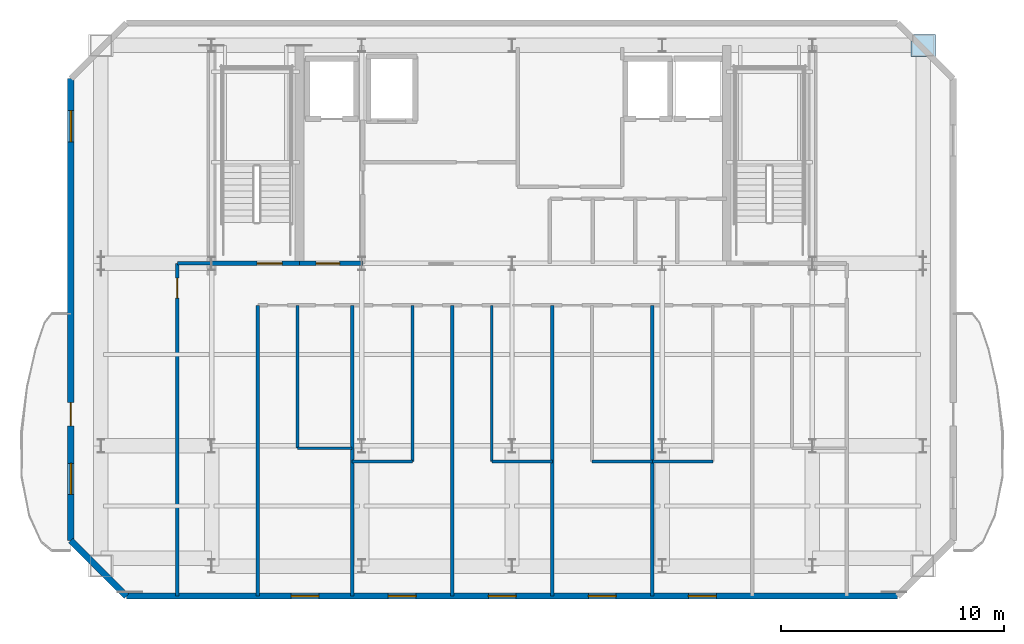
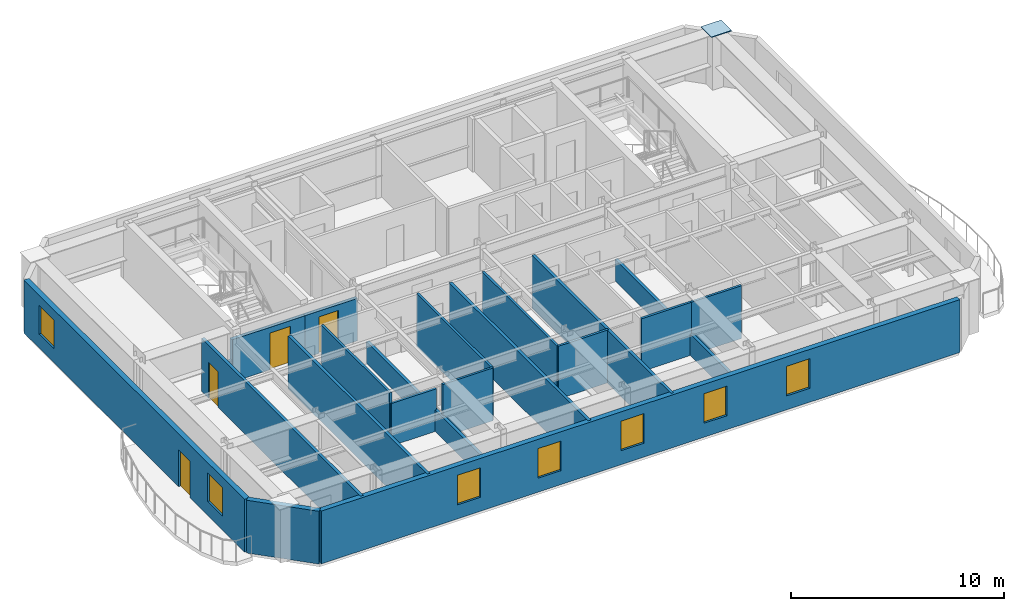
# One storey, part 2 of 6: 20 walls, 7 windows, 4 doors, 1 plate, 11 openings.
"""IFC4 building model written with IfcOpenShell, lengths in metres."""

from ifc_helpers import new_model, si_unit, direction, frame, frame_2d, origin, origin_2d, place, context, subcontext, project, spatial, rectangle, extrude, material, layer, layer_set, type_object, element, fill, save


model = new_model("IFC4")

# Units and contexts
model_context = context("Model", 3, precision=1e-05, world=origin(), true_north=direction((0.0, 1.0)))
body_context = subcontext(model_context, "Body", "Model", "MODEL_VIEW")
ifc_project = project(units=[si_unit("LENGTHUNIT", "METRE"), si_unit("AREAUNIT", "SQUARE_METRE"), si_unit("VOLUMEUNIT", "CUBIC_METRE"), si_unit("PLANEANGLEUNIT", "RADIAN"), si_unit("MASSUNIT", "GRAM", prefix="KILO")], contexts=[model_context])

# Site, building, storey
site_placement = place(None, origin())
site = spatial("IfcSite", under=ifc_project, at=site_placement, CompositionType="ELEMENT")
building_placement = place(site_placement, origin())
building = spatial("IfcBuilding", under=site, at=building_placement, Name="Haevon Station Towers", CompositionType="ELEMENT")
storey_placement = place(building_placement, frame((0.0, 0.0, 255.89990234375)))
storey = spatial("IfcBuildingStorey", under=building, at=storey_placement, Name="L71", CompositionType="ELEMENT", Elevation=255.89990234375)

# Plate
ifc_material_1 = material(Name="PL-FLG1", Category="steel")
ifc_layer_1 = layer(ifc_material_1, 0.044921875)
ifc_layer_set_1 = layer_set([ifc_layer_1], Name="PL-FLG1")
plate_type = type_object("IfcPlateType", Name="PL-FLG1", PredefinedType="USERDEFINED", material=ifc_layer_set_1)
plate_placement = place(storey_placement, frame((55.97509765625, 48.0, 3.050048828125), z_axis=(0.0, 0.0, 1.0), x_axis=(1.0, 0.0, 0.0)))
element("IfcPlate", 1, at=plate_placement, inside=storey, type_object=plate_type, Name="PL-CAP-T1-L71-07-04", ObjectType="FLANGE_PLATE", PredefinedType="USERDEFINED", context=body_context, shape_type="SweptSolid", body=[
    extrude(rectangle(XDim=1.090087890625, YDim=0.989990234375, at=origin_2d()), origin(), (0.0, 0.0, 1.0), 0.0400390625),
])

# Wall, opening, door
ifc_material_2 = material(Name="Gypsum board on steel stud", Category="steel")
ifc_layer_2 = layer(ifc_material_2, 0.199951171875)
ifc_layer_set_2 = layer_set([ifc_layer_2], Name="Gypsum board on steel stud")
wall_type_1 = type_object("IfcWallType", Name="WL-COR200", PredefinedType="PARTITIONING", material=ifc_layer_set_2)
wall_1_placement = place(storey_placement, frame((24.0, 38.199951171875, 0.0), z_axis=(0.0, 0.0, 1.0), x_axis=(1.0, 0.0, 0.0)))
wall_1 = element("IfcWall", 2, at=wall_1_placement, inside=storey, type_object=wall_type_1, Name="WL-ST-ST1-L71", PredefinedType="PARTITIONING", context=body_context, shape_type="SweptSolid", body=[
    extrude(rectangle(XDim=3.949951171875, YDim=0.199951171875, at=frame_2d((1.97509765625, 0.0))), origin(), (0.0, 0.0, 1.0), 2.43017578125),
])
opening_1_placement = place(wall_1_placement, frame((2.050048828125, 0.0, 0.0)))
opening_1 = element("IfcOpeningElement", 3, at=opening_1_placement, cuts=wall_1, Name="Opening DR-ST-ST1-L71", PredefinedType="OPENING", context=body_context, shape_type="SweptSolid", body=[
    extrude(rectangle(XDim=1.1201171875, YDim=2.10009765625, at=frame_2d((0.56005859375, 1.050048828125))), frame((0.0, 0.10986328125, 0.0), z_axis=(0.0, -1.0, 0.0), x_axis=(1.0, 0.0, 0.0)), (0.0, 0.0, 1.0), 0.219970703125),
])
ifc_material_3 = material(Name="Engineered oak timber", Category="wood")
door_type_1 = type_object("IfcDoorType", Name="DR-ST-1120", OperationType="NOTDEFINED", PredefinedType="DOOR", material=ifc_material_3)
door_1_placement = place(opening_1_placement, origin())
door_1 = element("IfcDoor", 4, at=door_1_placement, inside=storey, type_object=door_type_1, Name="L71 Escape Stair ST1 Fire Door", OperationType="SINGLE_SWING_LEFT", OverallHeight=2.10009765625, OverallWidth=1.1201171875, PredefinedType="DOOR", context=body_context, shape_type="SweptSolid", body=[
    extrude(rectangle(XDim=1.1201171875, YDim=2.10009765625, at=frame_2d((0.56005859375, 1.050048828125))), frame((0.0, 0.02490234375, 0.0), z_axis=(0.0, -1.0, 0.0), x_axis=(1.0, 0.0, 0.0)), (0.0, 0.0, 1.0), 0.050048828125),
])
fill(opening_1, door_1)

wall_2_placement = place(storey_placement, frame((27.949951171875, 38.199951171875, 0.0), z_axis=(0.0, 0.0, 1.0), x_axis=(1.0, 0.0, 0.0)))
wall_2 = element("IfcWall", 5, at=wall_2_placement, inside=storey, type_object=wall_type_1, Name="WL-T1FFL-L71-S", PredefinedType="PARTITIONING", context=body_context, shape_type="SweptSolid", body=[
    extrude(rectangle(XDim=2.85009765625, YDim=0.199951171875, at=frame_2d((1.425048828125, 0.0))), origin(), (0.0, 0.0, 1.0), 2.43017578125),
])
opening_2_placement = place(wall_2_placement, frame((0.75, 0.0, 0.0)))
opening_2 = element("IfcOpeningElement", 6, at=opening_2_placement, cuts=wall_2, Name="Opening DR-T1FFL-L71-S", PredefinedType="OPENING", context=body_context, shape_type="SweptSolid", body=[
    extrude(rectangle(XDim=1.050048828125, YDim=2.10009765625, at=frame_2d((0.52490234375, 1.050048828125))), frame((0.0, 0.10986328125, 0.0), z_axis=(0.0, -1.0, 0.0), x_axis=(1.0, 0.0, 0.0)), (0.0, 0.0, 1.0), 0.219970703125),
])
door_type_2 = type_object("IfcDoorType", Name="DR-FD60-1050", OperationType="NOTDEFINED", PredefinedType="DOOR", material=ifc_material_3)
door_2_placement = place(opening_2_placement, origin())
door_2 = element("IfcDoor", 7, at=door_2_placement, inside=storey, type_object=door_type_2, Name="L71 Tower 1 Firefighting Lift Lobby Door S", OperationType="SINGLE_SWING_RIGHT", OverallHeight=2.10009765625, OverallWidth=1.050048828125, PredefinedType="DOOR", context=body_context, shape_type="SweptSolid", body=[
    extrude(rectangle(XDim=1.050048828125, YDim=2.10009765625, at=frame_2d((0.52490234375, 1.050048828125))), frame((0.0, 0.02490234375, 0.0), z_axis=(0.0, -1.0, 0.0), x_axis=(1.0, 0.0, 0.0)), (0.0, 0.0, 1.0), 0.050048828125),
])
fill(opening_2, door_2)

# Wall, openings, windows
ifc_material_4 = material(Name="Precast concrete C45/55", Category="concrete")
ifc_layer_3 = layer(ifc_material_4, 0.280029296875)
ifc_layer_set_3 = layer_set([ifc_layer_3], Name="Precast concrete C45/55")
wall_type_2 = type_object("IfcWallType", Name="WL-EXT-PIER280", PredefinedType="SOLIDWALL", material=ifc_layer_set_3)
wall_3_placement = place(storey_placement, frame((54.824951171875, 23.25, 0.0), z_axis=(0.0, 0.0, 1.0), x_axis=(-1.0, 0.0, 0.0)))
wall_3 = element("IfcWall", 8, at=wall_3_placement, inside=storey, type_object=wall_type_2, Name="WL-T1-L71-S", PredefinedType="SOLIDWALL", context=body_context, shape_type="SweptSolid", body=[
    extrude(rectangle(XDim=34.64990234375, YDim=0.280029296875, at=frame_2d((17.324951171875, 0.0))), origin(), (0.0, 0.0, 1.0), 3.030029296875),
])
opening_3_placement = place(wall_3_placement, frame((26.00341796875, 0.0, 0.800048828125)))
opening_3 = element("IfcOpeningElement", 9, at=opening_3_placement, cuts=wall_3, Name="Opening WN-P125", PredefinedType="OPENING", context=body_context, shape_type="SweptSolid", body=[
    extrude(rectangle(XDim=1.25, YDim=1.699951171875, at=frame_2d((0.625, 0.85009765625))), frame((0.0, 0.14990234375, 0.0), z_axis=(0.0, -1.0, 0.0), x_axis=(1.0, 0.0, 0.0)), (0.0, 0.0, 1.0), 0.300048828125),
])
opening_4_placement = place(wall_3_placement, frame((21.6376953125, 0.0, 0.800048828125)))
opening_4 = element("IfcOpeningElement", 10, at=opening_4_placement, cuts=wall_3, Name="Opening WN-P125", PredefinedType="OPENING", context=body_context, shape_type="SweptSolid", body=[
    extrude(rectangle(XDim=1.25, YDim=1.699951171875, at=frame_2d((0.625, 0.85009765625))), frame((0.0, 0.14990234375, 0.0), z_axis=(0.0, -1.0, 0.0), x_axis=(1.0, 0.0, 0.0)), (0.0, 0.0, 1.0), 0.300048828125),
])
opening_5_placement = place(wall_3_placement, frame((17.139892578125, 0.0, 0.800048828125)))
opening_5 = element("IfcOpeningElement", 11, at=opening_5_placement, cuts=wall_3, Name="Opening WN-P125", PredefinedType="OPENING", context=body_context, shape_type="SweptSolid", body=[
    extrude(rectangle(XDim=1.25, YDim=1.699951171875, at=frame_2d((0.625, 0.85009765625))), frame((0.0, 0.14990234375, 0.0), z_axis=(0.0, -1.0, 0.0), x_axis=(1.0, 0.0, 0.0)), (0.0, 0.0, 1.0), 0.300048828125),
])
opening_6_placement = place(wall_3_placement, frame((12.64208984375, 0.0, 0.800048828125)))
opening_6 = element("IfcOpeningElement", 12, at=opening_6_placement, cuts=wall_3, Name="Opening WN-P125", PredefinedType="OPENING", context=body_context, shape_type="SweptSolid", body=[
    extrude(rectangle(XDim=1.25, YDim=1.699951171875, at=frame_2d((0.625, 0.85009765625))), frame((0.0, 0.14990234375, 0.0), z_axis=(0.0, -1.0, 0.0), x_axis=(1.0, 0.0, 0.0)), (0.0, 0.0, 1.0), 0.300048828125),
])
opening_7_placement = place(wall_3_placement, frame((8.144287109375, 0.0, 0.800048828125)))
opening_7 = element("IfcOpeningElement", 13, at=opening_7_placement, cuts=wall_3, Name="Opening WN-P125", PredefinedType="OPENING", context=body_context, shape_type="SweptSolid", body=[
    extrude(rectangle(XDim=1.25, YDim=1.699951171875, at=frame_2d((0.625, 0.85009765625))), frame((0.0, 0.14990234375, 0.0), z_axis=(0.0, -1.0, 0.0), x_axis=(1.0, 0.0, 0.0)), (0.0, 0.0, 1.0), 0.300048828125),
])
ifc_material_5 = material(Name="Low-E triple glazing in thermally broken aluminium", Category="aluminium")
window_type_1 = type_object("IfcWindowType", Name="WN-P125", PartitioningType="SINGLE_PANEL", PredefinedType="WINDOW", material=ifc_material_5)
window_1_placement = place(opening_3_placement, origin())
window_1 = element("IfcWindow", 14, at=window_1_placement, inside=storey, type_object=window_type_1, Name="WN-T1-L71-S01", OverallHeight=1.699951171875, OverallWidth=1.25, PartitioningType="SINGLE_PANEL", PredefinedType="WINDOW", context=body_context, shape_type="SweptSolid", body=[
    extrude(rectangle(XDim=1.25, YDim=1.699951171875, at=frame_2d((0.625, 0.85009765625))), frame((0.0, 0.030029296875, 0.0), z_axis=(0.0, -1.0, 0.0), x_axis=(1.0, 0.0, 0.0)), (0.0, 0.0, 1.0), 0.06005859375),
])
fill(opening_3, window_1)
window_2_placement = place(opening_4_placement, origin())
window_2 = element("IfcWindow", 15, at=window_2_placement, inside=storey, type_object=window_type_1, Name="WN-T1-L71-S02", OverallHeight=1.699951171875, OverallWidth=1.25, PartitioningType="SINGLE_PANEL", PredefinedType="WINDOW", context=body_context, shape_type="SweptSolid", body=[
    extrude(rectangle(XDim=1.25, YDim=1.699951171875, at=frame_2d((0.625, 0.85009765625))), frame((0.0, 0.030029296875, 0.0), z_axis=(0.0, -1.0, 0.0), x_axis=(1.0, 0.0, 0.0)), (0.0, 0.0, 1.0), 0.06005859375),
])
fill(opening_4, window_2)
window_3_placement = place(opening_5_placement, origin())
window_3 = element("IfcWindow", 16, at=window_3_placement, inside=storey, type_object=window_type_1, Name="WN-T1-L71-S03", OverallHeight=1.699951171875, OverallWidth=1.25, PartitioningType="SINGLE_PANEL", PredefinedType="WINDOW", context=body_context, shape_type="SweptSolid", body=[
    extrude(rectangle(XDim=1.25, YDim=1.699951171875, at=frame_2d((0.625, 0.85009765625))), frame((0.0, 0.030029296875, 0.0), z_axis=(0.0, -1.0, 0.0), x_axis=(1.0, 0.0, 0.0)), (0.0, 0.0, 1.0), 0.06005859375),
])
fill(opening_5, window_3)
window_4_placement = place(opening_6_placement, origin())
window_4 = element("IfcWindow", 17, at=window_4_placement, inside=storey, type_object=window_type_1, Name="WN-T1-L71-S04", OverallHeight=1.699951171875, OverallWidth=1.25, PartitioningType="SINGLE_PANEL", PredefinedType="WINDOW", context=body_context, shape_type="SweptSolid", body=[
    extrude(rectangle(XDim=1.25, YDim=1.699951171875, at=frame_2d((0.625, 0.85009765625))), frame((0.0, 0.030029296875, 0.0), z_axis=(0.0, -1.0, 0.0), x_axis=(1.0, 0.0, 0.0)), (0.0, 0.0, 1.0), 0.06005859375),
])
fill(opening_6, window_4)
window_5_placement = place(opening_7_placement, origin())
window_5 = element("IfcWindow", 18, at=window_5_placement, inside=storey, type_object=window_type_1, Name="WN-T1-L71-S05", OverallHeight=1.699951171875, OverallWidth=1.25, PartitioningType="SINGLE_PANEL", PredefinedType="WINDOW", context=body_context, shape_type="SweptSolid", body=[
    extrude(rectangle(XDim=1.25, YDim=1.699951171875, at=frame_2d((0.625, 0.85009765625))), frame((0.0, 0.030029296875, 0.0), z_axis=(0.0, -1.0, 0.0), x_axis=(1.0, 0.0, 0.0)), (0.0, 0.0, 1.0), 0.06005859375),
])
fill(opening_7, window_5)

# Wall
wall_4_placement = place(storey_placement, frame((20.175048828125, 23.25, 0.0), z_axis=(0.0, 0.0, 1.0), x_axis=(-0.707106781187, 0.707106781187, 0.0)))
element("IfcWall", 19, at=wall_4_placement, inside=storey, type_object=wall_type_2, Name="WL-T1-L71-SWC", PredefinedType="SOLIDWALL", context=body_context, shape_type="SweptSolid", body=[
    extrude(rectangle(XDim=3.53564453125, YDim=0.280029296875, at=frame_2d((1.767822265625, 0.0))), origin(), (0.0, 0.0, 1.0), 3.030029296875),
])

# Wall, openings, door, windows
wall_5_placement = place(storey_placement, frame((17.675048828125, 25.75, 0.0), z_axis=(0.0, 0.0, 1.0), x_axis=(0.0, 1.0, 0.0)))
wall_5 = element("IfcWall", 20, at=wall_5_placement, inside=storey, type_object=wall_type_2, Name="WL-T1-L71-W", PredefinedType="SOLIDWALL", context=body_context, shape_type="SweptSolid", body=[
    extrude(rectangle(XDim=20.75, YDim=0.280029296875, at=frame_2d((10.375, 0.0))), origin(), (0.0, 0.0, 1.0), 3.030029296875),
])
opening_8_placement = place(wall_5_placement, frame((5.14990234375, 0.0, 0.0)))
opening_8 = element("IfcOpeningElement", 21, at=opening_8_placement, cuts=wall_5, Name="Opening DR-T1-SCAL-L71-W", PredefinedType="OPENING", context=body_context, shape_type="SweptSolid", body=[
    extrude(rectangle(XDim=1.050048828125, YDim=2.10009765625, at=frame_2d((0.52490234375, 1.050048828125))), frame((0.0, 0.14990234375, 0.0), z_axis=(0.0, -1.0, 0.0), x_axis=(1.0, 0.0, 0.0)), (0.0, 0.0, 1.0), 0.300048828125),
])
opening_9_placement = place(wall_5_placement, frame((2.06787109375, 0.0, 0.800048828125)))
opening_9 = element("IfcOpeningElement", 22, at=opening_9_placement, cuts=wall_5, Name="Opening WN-END140", PredefinedType="OPENING", context=body_context, shape_type="SweptSolid", body=[
    extrude(rectangle(XDim=1.39990234375, YDim=1.64990234375, at=frame_2d((0.699951171875, 0.824951171875))), frame((0.0, 0.14990234375, 0.0), z_axis=(0.0, -1.0, 0.0), x_axis=(1.0, 0.0, 0.0)), (0.0, 0.0, 1.0), 0.300048828125),
])
opening_10_placement = place(wall_5_placement, frame((17.916015625, 0.0, 0.800048828125)))
opening_10 = element("IfcOpeningElement", 23, at=opening_10_placement, cuts=wall_5, Name="Opening WN-END140", PredefinedType="OPENING", context=body_context, shape_type="SweptSolid", body=[
    extrude(rectangle(XDim=1.39990234375, YDim=1.64990234375, at=frame_2d((0.699951171875, 0.824951171875))), frame((0.0, 0.14990234375, 0.0), z_axis=(0.0, -1.0, 0.0), x_axis=(1.0, 0.0, 0.0)), (0.0, 0.0, 1.0), 0.300048828125),
])
ifc_material_6 = material(Name="Thermally broken anodised aluminium and laminated safety glass", Category="aluminium")
door_type_3 = type_object("IfcDoorType", Name="DR-BALC-1050", OperationType="NOTDEFINED", PredefinedType="DOOR", material=ifc_material_6)
door_3_placement = place(opening_8_placement, origin())
door_3 = element("IfcDoor", 24, at=door_3_placement, inside=storey, type_object=door_type_3, Name="Tower 1 L71 West Scalloped Balcony Door", OperationType="SINGLE_SWING_RIGHT", OverallHeight=2.10009765625, OverallWidth=1.050048828125, PredefinedType="DOOR", context=body_context, shape_type="SweptSolid", body=[
    extrude(rectangle(XDim=1.050048828125, YDim=2.10009765625, at=frame_2d((0.52490234375, 1.050048828125))), frame((0.0, 0.02490234375, 0.0), z_axis=(0.0, -1.0, 0.0), x_axis=(1.0, 0.0, 0.0)), (0.0, 0.0, 1.0), 0.050048828125),
])
fill(opening_8, door_3)
window_type_2 = type_object("IfcWindowType", Name="WN-END140", PartitioningType="SINGLE_PANEL", PredefinedType="WINDOW", material=ifc_material_5)
window_6_placement = place(opening_9_placement, origin())
window_6 = element("IfcWindow", 25, at=window_6_placement, inside=storey, type_object=window_type_2, Name="WN-T1-L71-W01", OverallHeight=1.64990234375, OverallWidth=1.39990234375, PartitioningType="SINGLE_PANEL", PredefinedType="WINDOW", context=body_context, shape_type="SweptSolid", body=[
    extrude(rectangle(XDim=1.39990234375, YDim=1.64990234375, at=frame_2d((0.699951171875, 0.824951171875))), frame((0.0, 0.030029296875, 0.0), z_axis=(0.0, -1.0, 0.0), x_axis=(1.0, 0.0, 0.0)), (0.0, 0.0, 1.0), 0.06005859375),
])
fill(opening_9, window_6)
window_7_placement = place(opening_10_placement, origin())
window_7 = element("IfcWindow", 26, at=window_7_placement, inside=storey, type_object=window_type_2, Name="WN-T1-L71-W02", OverallHeight=1.64990234375, OverallWidth=1.39990234375, PartitioningType="SINGLE_PANEL", PredefinedType="WINDOW", context=body_context, shape_type="SweptSolid", body=[
    extrude(rectangle(XDim=1.39990234375, YDim=1.64990234375, at=frame_2d((0.699951171875, 0.824951171875))), frame((0.0, 0.030029296875, 0.0), z_axis=(0.0, -1.0, 0.0), x_axis=(1.0, 0.0, 0.0)), (0.0, 0.0, 1.0), 0.06005859375),
])
fill(opening_10, window_7)

# Walls
ifc_layer_4 = layer(ifc_material_2, 0.125)
ifc_layer_set_4 = layer_set([ifc_layer_4], Name="Gypsum board on steel stud")
wall_type_3 = type_object("IfcWallType", Name="WL-PRT125", PredefinedType="PARTITIONING", material=ifc_layer_set_4)
wall_6_placement = place(storey_placement, frame((27.860107421875, 29.8974609375, 0.0), z_axis=(0.0, 0.0, 1.0), x_axis=(1.0, 0.0, 0.0)))
element("IfcWall", 27, at=wall_6_placement, inside=storey, type_object=wall_type_3, Name="WL-T1PT-L71-06", PredefinedType="PARTITIONING", context=body_context, shape_type="SweptSolid", body=[
    extrude(rectangle(XDim=2.453125, YDim=0.125, at=frame_2d((1.2265625, 0.0))), origin(), (0.0, 0.0, 1.0), 2.43017578125),
])
wall_7_placement = place(storey_placement, frame((27.860107421875, 29.8974609375, 0.0), z_axis=(0.0, 0.0, 1.0), x_axis=(0.0, 1.0, 0.0)))
element("IfcWall", 28, at=wall_7_placement, inside=storey, type_object=wall_type_3, Name="WL-T1PT-L71-07", PredefinedType="PARTITIONING", context=body_context, shape_type="SweptSolid", body=[
    extrude(rectangle(XDim=6.422607421875, YDim=0.125, at=frame_2d((3.21142578125, 0.0))), origin(), (0.0, 0.0, 1.0), 3.030029296875),
])
wall_8_placement = place(storey_placement, frame((30.313232421875, 29.296630859375, 0.0), z_axis=(0.0, 0.0, 1.0), x_axis=(1.0, 0.0, 0.0)))
element("IfcWall", 29, at=wall_8_placement, inside=storey, type_object=wall_type_3, Name="WL-T1PT-L71-09", PredefinedType="PARTITIONING", context=body_context, shape_type="SweptSolid", body=[
    extrude(rectangle(XDim=2.7177734375, YDim=0.125, at=frame_2d((1.35888671875, 0.0))), origin(), (0.0, 0.0, 1.0), 3.030029296875),
])
wall_9_placement = place(storey_placement, frame((33.031005859375, 29.296630859375, 0.0), z_axis=(0.0, 0.0, 1.0), x_axis=(0.0, 1.0, 0.0)))
element("IfcWall", 30, at=wall_9_placement, inside=storey, type_object=wall_type_3, Name="WL-T1PT-L71-10", PredefinedType="PARTITIONING", context=body_context, shape_type="SweptSolid", body=[
    extrude(rectangle(XDim=7.0234375, YDim=0.125, at=frame_2d((3.51171875, 0.0))), origin(), (0.0, 0.0, 1.0), 3.030029296875),
])
wall_10_placement = place(storey_placement, frame((36.591064453125, 29.29638671875, 0.0), z_axis=(0.0, 0.0, 1.0), x_axis=(1.0, 0.0, 0.0)))
element("IfcWall", 31, at=wall_10_placement, inside=storey, type_object=wall_type_3, Name="WL-T1PT-L71-12", PredefinedType="PARTITIONING", context=body_context, shape_type="SweptSolid", body=[
    extrude(rectangle(XDim=2.718017578125, YDim=0.125, at=frame_2d((1.35888671875, 0.0))), origin(), (0.0, 0.0, 1.0), 3.030029296875),
])
wall_11_placement = place(storey_placement, frame((36.591064453125, 29.29638671875, 0.0), z_axis=(0.0, 0.0, 1.0), x_axis=(0.0, 1.0, 0.0)))
element("IfcWall", 32, at=wall_11_placement, inside=storey, type_object=wall_type_3, Name="WL-T1PT-L71-13", PredefinedType="PARTITIONING", context=body_context, shape_type="SweptSolid", body=[
    extrude(rectangle(XDim=7.023681640625, YDim=0.125, at=frame_2d((3.51171875, 0.0))), origin(), (0.0, 0.0, 1.0), 3.030029296875),
])
for number, where, z_axis, x_axis, name in (
    (33, (41.089111328125, 29.29638671875, 0.0), (0.0, 0.0, 1.0), (1.0, 0.0, 0.0), "WL-T1PT-L71-15"),
    (34, (43.806884765625, 29.296630859375, 0.0), (0.0, 0.0, 1.0), (1.0, 0.0, 0.0), "WL-T1PT-L71-18"),
):
    element("IfcWall", number, at=place(storey_placement, frame(where, z_axis=z_axis, x_axis=x_axis)), inside=storey, type_object=wall_type_3, Name=name, PredefinedType="PARTITIONING", context=body_context, shape_type="SweptSolid", body=[
        extrude(rectangle(XDim=2.7177734375, YDim=0.125, at=frame_2d((1.35888671875, 0.0))), origin(), (0.0, 0.0, 1.0), 3.030029296875),
    ])
ifc_layer_5 = layer(ifc_material_2, 0.159912109375)
ifc_layer_set_5 = layer_set([ifc_layer_5], Name="Gypsum board on steel stud")
wall_type_4 = type_object("IfcWallType", Name="WL-PRT160", PredefinedType="PARTITIONING", material=ifc_layer_set_5)
wall_12_placement = place(storey_placement, frame((26.080078125, 23.25, 0.0), z_axis=(0.0, 0.0, 1.0), x_axis=(0.0, 1.0, 0.0)))
element("IfcWall", 35, at=wall_12_placement, inside=storey, type_object=wall_type_4, Name="WL-T1PT-L71-01", PredefinedType="PARTITIONING", context=body_context, shape_type="SweptSolid", body=[
    extrude(rectangle(XDim=13.070068359375, YDim=0.159912109375, at=frame_2d((6.53515625, 0.0))), origin(), (0.0, 0.0, 1.0), 3.030029296875),
])
wall_13_placement = place(storey_placement, frame((22.4619140625, 38.199951171875, 0.0), z_axis=(0.0, 0.0, 1.0), x_axis=(1.0, 0.0, 0.0)))
element("IfcWall", 36, at=wall_13_placement, inside=storey, type_object=wall_type_4, Name="WL-T1PT-L71-02", PredefinedType="PARTITIONING", context=body_context, shape_type="SweptSolid", body=[
    extrude(rectangle(XDim=1.5380859375, YDim=0.159912109375, at=frame_2d((0.76904296875, 0.0))), origin(), (0.0, 0.0, 1.0), 1.22998046875),
])

# Wall, opening, door
wall_14_placement = place(storey_placement, frame((22.4619140625, 23.25, 0.0), z_axis=(0.0, 0.0, 1.0), x_axis=(0.0, 1.0, 0.0)))
wall_14 = element("IfcWall", 37, at=wall_14_placement, inside=storey, type_object=wall_type_4, Name="WL-T1PT-L71-04", PredefinedType="PARTITIONING", context=body_context, shape_type="SweptSolid", body=[
    extrude(rectangle(XDim=14.949951171875, YDim=0.159912109375, at=frame_2d((7.47509765625, 0.0))), origin(), (0.0, 0.0, 1.0), 3.030029296875),
])
opening_11_placement = place(wall_14_placement, frame((13.389892578125, 0.0, 0.0)))
opening_11 = element("IfcOpeningElement", 38, at=opening_11_placement, cuts=wall_14, Name="Opening DR-WL-T1PT-L71-04-01", PredefinedType="OPENING", context=body_context, shape_type="SweptSolid", body=[
    extrude(rectangle(XDim=0.89990234375, YDim=2.050048828125, at=frame_2d((0.449951171875, 1.02490234375))), frame((0.0, 0.08984375, 0.0), z_axis=(0.0, -1.0, 0.0), x_axis=(1.0, 0.0, 0.0)), (0.0, 0.0, 1.0), 0.179931640625),
])
door_type_4 = type_object("IfcDoorType", Name="DR-INT-900", OperationType="NOTDEFINED", PredefinedType="DOOR", material=ifc_material_3)
door_4_placement = place(opening_11_placement, origin())
door_4 = element("IfcDoor", 39, at=door_4_placement, inside=storey, type_object=door_type_4, Name="L71 Tower 1 Room Door 4-1", OperationType="SINGLE_SWING_LEFT", OverallHeight=2.050048828125, OverallWidth=0.89990234375, PredefinedType="DOOR", context=body_context, shape_type="SweptSolid", body=[
    extrude(rectangle(XDim=0.89990234375, YDim=2.050048828125, at=frame_2d((0.449951171875, 1.02490234375))), frame((0.0, 0.02490234375, 0.0), z_axis=(0.0, -1.0, 0.0), x_axis=(1.0, 0.0, 0.0)), (0.0, 0.0, 1.0), 0.050048828125),
])
fill(opening_11, door_4)

# Walls
wall_15_placement = place(storey_placement, frame((30.313232421875, 23.25, 0.0), z_axis=(0.0, 0.0, 1.0), x_axis=(0.0, 1.0, 0.0)))
element("IfcWall", 40, at=wall_15_placement, inside=storey, type_object=wall_type_4, Name="WL-T1PT-L71-08", PredefinedType="PARTITIONING", context=body_context, shape_type="SweptSolid", body=[
    extrude(rectangle(XDim=13.070068359375, YDim=0.159912109375, at=frame_2d((6.53515625, 0.0))), origin(), (0.0, 0.0, 1.0), 1.22998046875),
])
for number, where, z_axis, x_axis, name in (
    (41, (34.81103515625, 23.25, 0.0), (0.0, 0.0, 1.0), (0.0, 1.0, 0.0), "WL-T1PT-L71-11"),
    (42, (39.30908203125, 23.25, 0.0), (0.0, 0.0, 1.0), (0.0, 1.0, 0.0), "WL-T1PT-L71-14"),
):
    element("IfcWall", number, at=place(storey_placement, frame(where, z_axis=z_axis, x_axis=x_axis)), inside=storey, type_object=wall_type_4, Name=name, PredefinedType="PARTITIONING", context=body_context, shape_type="SweptSolid", body=[
        extrude(rectangle(XDim=13.070068359375, YDim=0.159912109375, at=frame_2d((6.53515625, 0.0))), origin(), (0.0, 0.0, 1.0), 3.030029296875),
    ])
wall_16_placement = place(storey_placement, frame((43.806884765625, 23.25, 0.0), z_axis=(0.0, 0.0, 1.0), x_axis=(0.0, 1.0, 0.0)))
element("IfcWall", 43, at=wall_16_placement, inside=storey, type_object=wall_type_4, Name="WL-T1PT-L71-17", PredefinedType="PARTITIONING", context=body_context, shape_type="SweptSolid", body=[
    extrude(rectangle(XDim=13.070068359375, YDim=0.159912109375, at=frame_2d((6.53515625, 0.0))), origin(), (0.0, 0.0, 1.0), 1.22998046875),
])

save(model, "model.ifc")
